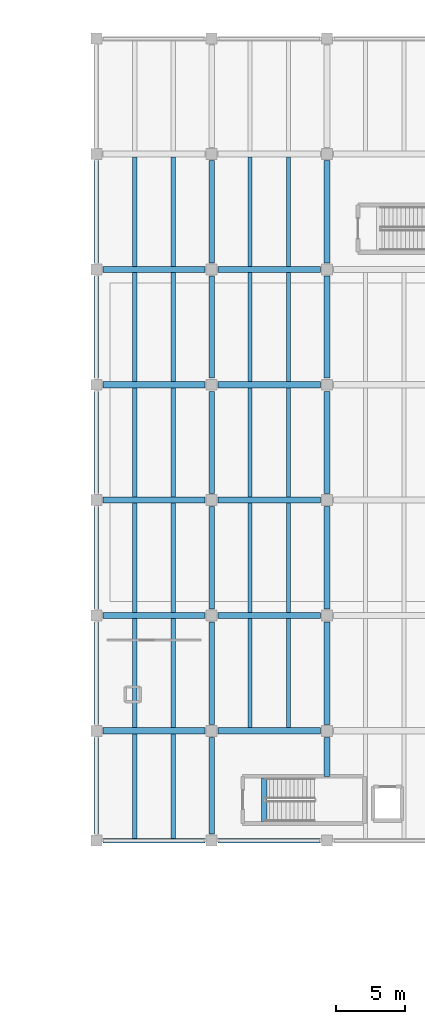
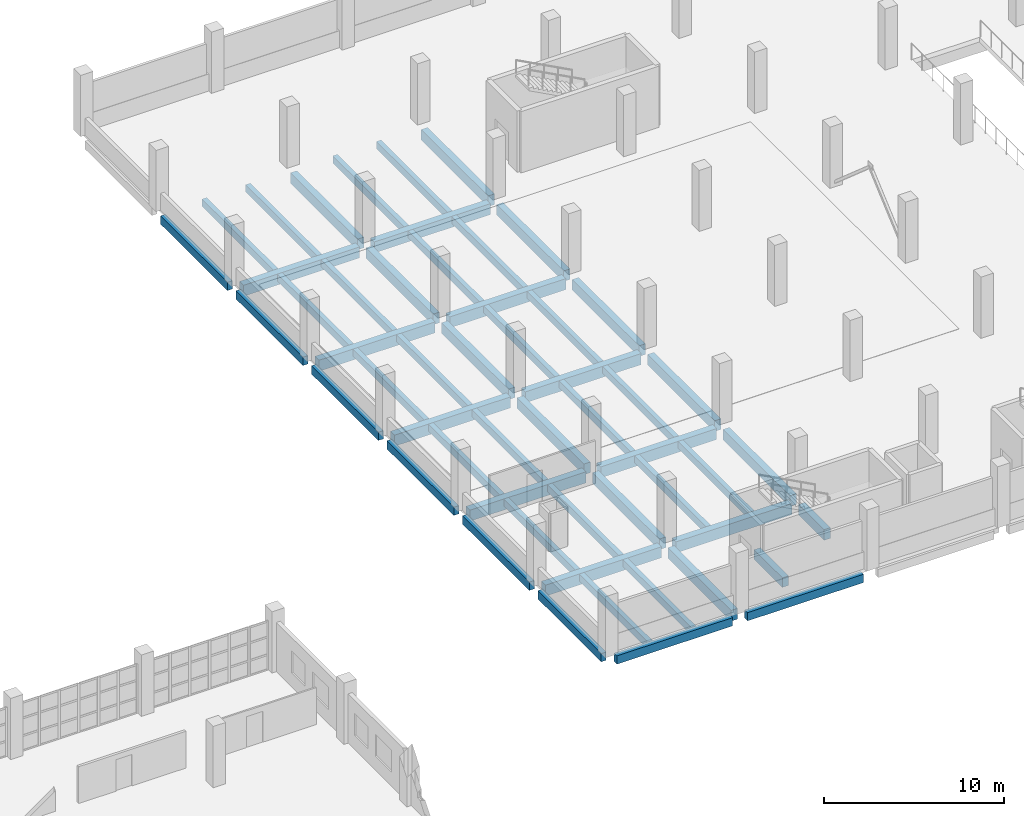
# One storey, part 49 of 177: 53 beams.
"""IFC4 building model written with IfcOpenShell, lengths in metres."""

from ifc_helpers import new_model, si_unit, direction, frame, origin, origin_2d, place, context, subcontext, project, spatial, rectangle, extrude, material, material_profile, profile_set, type_object, element, save


model = new_model("IFC4")

# Units and contexts
model_context = context("Model", 3, precision=1e-05, world=origin(), true_north=direction((0.0, 1.0)))
body_context = subcontext(model_context, "Body", "Model", "MODEL_VIEW")
ifc_project = project(units=[si_unit("LENGTHUNIT", "METRE"), si_unit("AREAUNIT", "SQUARE_METRE"), si_unit("VOLUMEUNIT", "CUBIC_METRE"), si_unit("PLANEANGLEUNIT", "RADIAN"), si_unit("MASSUNIT", "GRAM", prefix="KILO"), si_unit("THERMODYNAMICTEMPERATUREUNIT", "KELVIN"), si_unit("POWERUNIT", "WATT")], contexts=[model_context])

# Site, building, storey
site_placement = place(None, origin())
site = spatial("IfcSite", under=ifc_project, at=site_placement, CompositionType="ELEMENT")
building_placement = place(site_placement, origin())
building = spatial("IfcBuilding", under=site, at=building_placement, Name="Mavoryth Pier Ferry Terminal", CompositionType="ELEMENT")
storey_placement = place(building_placement, frame((0.0, 0.0, 5.43994140625)))
storey = spatial("IfcBuildingStorey", under=building, at=storey_placement, Name="L01", CompositionType="ELEMENT", Elevation=5.43994140625)

# Beams
ifc_material = material(Name="Concrete C35/45", Category="concrete")
ifc_material_profile_1 = material_profile(ifc_material, rectangle(XDim=0.39990234375, YDim=0.64990234375, at=origin_2d()), Name="RC 400x650", Category="concrete")
ifc_profile_set_1 = profile_set([ifc_material_profile_1], Name="Concrete C35/45 - RC 400x650")
beam_type_1 = type_object("IfcBeamType", Name="Girder-RC-400x650", PredefinedType="BEAM", material=ifc_profile_set_1)
beam_1_placement = place(storey_placement, frame((121.419921875, 15.39990234375, -0.324951171875), z_axis=(0.0, 1.0, 0.0), x_axis=(-1.0, 0.0, 0.0)))
element("IfcBeam", 1, at=beam_1_placement, inside=storey, type_object=beam_type_1, Name="Beam B01-BG05-1576", PredefinedType="BEAM", context=body_context, shape_type="SweptSolid", body=[
    extrude(rectangle(XDim=0.39990234375, YDim=0.64990234375, at=origin_2d()), origin(), (0.0, 0.0, 1.0), 3.150146484375),
])
ifc_material_profile_2 = material_profile(ifc_material, rectangle(XDim=0.419921875, YDim=0.719970703125, at=origin_2d()), Name="RC 420x720", Category="concrete")
ifc_profile_set_2 = profile_set([ifc_material_profile_2], Name="Concrete C35/45 - RC 420x720")
beam_type_2 = type_object("IfcBeamType", Name="Girder-RC-420x720", PredefinedType="BEAM", material=ifc_profile_set_2)
beam_2_placement = place(storey_placement, frame((117.60009765625, 14.47509765625, -0.679931640625), z_axis=(0.0, 1.0, 0.0), x_axis=(-1.0, 0.0, 0.0)))
element("IfcBeam", 2, at=beam_2_placement, inside=storey, type_object=beam_type_2, Name="Beam B01-BG03-0377", PredefinedType="BEAM", context=body_context, shape_type="SweptSolid", body=[
    extrude(rectangle(XDim=0.419921875, YDim=0.719970703125, at=origin_2d()), origin(), (0.0, 0.0, 1.0), 7.0498046875),
])
for number, where, z_axis, x_axis, name in (
    (3, (117.60009765625, 22.47509765625, -0.679931640625), (0.0, 1.0, 0.0), (-1.0, 0.0, 0.0), "Beam B01-BG03-0378"),
    (4, (117.60009765625, 30.875, -0.679931640625), (0.0, 1.0, 0.0), (-1.0, 0.0, 0.0), "Beam B01-BG03-0379"),
):
    element("IfcBeam", number, at=place(storey_placement, frame(where, z_axis=z_axis, x_axis=x_axis)), inside=storey, type_object=beam_type_2, Name=name, PredefinedType="BEAM", context=body_context, shape_type="SweptSolid", body=[
        extrude(rectangle(XDim=0.419921875, YDim=0.719970703125, at=origin_2d()), origin(), (0.0, 0.0, 1.0), 7.449951171875),
    ])
beam_3_placement = place(storey_placement, frame((117.60009765625, 39.27490234375, -0.679931640625), z_axis=(0.0, 1.0, 0.0), x_axis=(-1.0, 0.0, 0.0)))
element("IfcBeam", 5, at=beam_3_placement, inside=storey, type_object=beam_type_2, Name="Beam B01-BG03-0380", PredefinedType="BEAM", context=body_context, shape_type="SweptSolid", body=[
    extrude(rectangle(XDim=0.419921875, YDim=0.719970703125, at=origin_2d()), origin(), (0.0, 0.0, 1.0), 7.4501953125),
])
for number, where, z_axis, x_axis, name in (
    (6, (117.60009765625, 47.675048828125, -0.679931640625), (0.0, 1.0, 0.0), (-1.0, 0.0, 0.0), "Beam B01-BG03-0381"),
    (7, (117.60009765625, 56.074951171875, -0.679931640625), (0.0, 1.0, 0.0), (-1.0, 0.0, 0.0), "Beam B01-BG03-0382"),
):
    element("IfcBeam", number, at=place(storey_placement, frame(where, z_axis=z_axis, x_axis=x_axis)), inside=storey, type_object=beam_type_2, Name=name, PredefinedType="BEAM", context=body_context, shape_type="SweptSolid", body=[
        extrude(rectangle(XDim=0.419921875, YDim=0.719970703125, at=origin_2d()), origin(), (0.0, 0.0, 1.0), 7.449951171875),
    ])
beam_4_placement = place(storey_placement, frame((126.0, 18.679931640625, -0.679931640625), z_axis=(0.0, 1.0, 0.0), x_axis=(-1.0, 0.0, 0.0)))
element("IfcBeam", 8, at=beam_4_placement, inside=storey, type_object=beam_type_2, Name="Beam B01-BG03-0384", PredefinedType="BEAM", context=body_context, shape_type="SweptSolid", body=[
    extrude(rectangle(XDim=0.419921875, YDim=0.719970703125, at=origin_2d()), origin(), (0.0, 0.0, 1.0), 2.844970703125),
])
for number, where, z_axis, x_axis, name in (
    (9, (126.0, 22.47509765625, -0.679931640625), (0.0, 1.0, 0.0), (-1.0, 0.0, 0.0), "Beam B01-BG03-0385"),
    (10, (126.0, 30.875, -0.679931640625), (0.0, 1.0, 0.0), (-1.0, 0.0, 0.0), "Beam B01-BG03-0386"),
):
    element("IfcBeam", number, at=place(storey_placement, frame(where, z_axis=z_axis, x_axis=x_axis)), inside=storey, type_object=beam_type_2, Name=name, PredefinedType="BEAM", context=body_context, shape_type="SweptSolid", body=[
        extrude(rectangle(XDim=0.419921875, YDim=0.719970703125, at=origin_2d()), origin(), (0.0, 0.0, 1.0), 7.449951171875),
    ])
beam_5_placement = place(storey_placement, frame((126.0, 39.27490234375, -0.679931640625), z_axis=(0.0, 1.0, 0.0), x_axis=(-1.0, 0.0, 0.0)))
element("IfcBeam", 11, at=beam_5_placement, inside=storey, type_object=beam_type_2, Name="Beam B01-BG03-0387", PredefinedType="BEAM", context=body_context, shape_type="SweptSolid", body=[
    extrude(rectangle(XDim=0.419921875, YDim=0.719970703125, at=origin_2d()), origin(), (0.0, 0.0, 1.0), 7.4501953125),
])
for number, where, z_axis, x_axis, name in (
    (12, (126.0, 47.675048828125, -0.679931640625), (0.0, 1.0, 0.0), (-1.0, 0.0, 0.0), "Beam B01-BG03-0388"),
    (13, (126.0, 56.074951171875, -0.679931640625), (0.0, 1.0, 0.0), (-1.0, 0.0, 0.0), "Beam B01-BG03-0389"),
):
    element("IfcBeam", number, at=place(storey_placement, frame(where, z_axis=z_axis, x_axis=x_axis)), inside=storey, type_object=beam_type_2, Name=name, PredefinedType="BEAM", context=body_context, shape_type="SweptSolid", body=[
        extrude(rectangle(XDim=0.419921875, YDim=0.719970703125, at=origin_2d()), origin(), (0.0, 0.0, 1.0), 7.449951171875),
    ])
ifc_material_profile_3 = material_profile(ifc_material, rectangle(XDim=0.449951171875, YDim=0.75, at=origin_2d()), Name="RC 450x750", Category="concrete")
ifc_profile_set_3 = profile_set([ifc_material_profile_3], Name="Concrete C35/45 - RC 450x750")
beam_type_3 = type_object("IfcBeamType", Name="Girder-RC-450x750", PredefinedType="BEAM", material=ifc_profile_set_3)
for number, where, z_axis, x_axis, name in (
    (14, (109.675048828125, 22.0, -0.69482421875), (1.0, 0.0, 0.0), (0.0, 1.0, 0.0), "Beam B01-BG02-0318"),
    (15, (118.074951171875, 22.0, -0.69482421875), (1.0, 0.0, 0.0), (0.0, 1.0, 0.0), "Beam B01-BG02-0319"),
    (16, (109.675048828125, 30.39990234375, -0.69482421875), (1.0, 0.0, 0.0), (0.0, 1.0, 0.0), "Beam B01-BG02-0325"),
    (17, (118.074951171875, 30.39990234375, -0.69482421875), (1.0, 0.0, 0.0), (0.0, 1.0, 0.0), "Beam B01-BG02-0326"),
    (18, (109.675048828125, 38.800048828125, -0.69482421875), (1.0, 0.0, 0.0), (0.0, 1.0, 0.0), "Beam B01-BG02-0333"),
    (19, (118.074951171875, 38.800048828125, -0.69482421875), (1.0, 0.0, 0.0), (0.0, 1.0, 0.0), "Beam B01-BG02-0334"),
    (20, (109.675048828125, 47.199951171875, -0.69482421875), (1.0, 0.0, 0.0), (0.0, 1.0, 0.0), "Beam B01-BG02-0341"),
    (21, (118.074951171875, 47.199951171875, -0.69482421875), (1.0, 0.0, 0.0), (0.0, 1.0, 0.0), "Beam B01-BG02-0342"),
    (22, (109.675048828125, 55.60009765625, -0.69482421875), (1.0, 0.0, 0.0), (0.0, 1.0, 0.0), "Beam B01-BG02-0349"),
    (23, (118.074951171875, 55.60009765625, -0.69482421875), (1.0, 0.0, 0.0), (0.0, 1.0, 0.0), "Beam B01-BG02-0350"),
):
    element("IfcBeam", number, at=place(storey_placement, frame(where, z_axis=z_axis, x_axis=x_axis)), inside=storey, type_object=beam_type_3, Name=name, PredefinedType="BEAM", context=body_context, shape_type="SweptSolid", body=[
        extrude(rectangle(XDim=0.449951171875, YDim=0.75, at=origin_2d()), origin(), (0.0, 0.0, 1.0), 7.449951171875),
    ])
ifc_material_profile_4 = material_profile(ifc_material, rectangle(XDim=0.300048828125, YDim=0.5, at=origin_2d()), Name="RC 300x500", Category="concrete")
ifc_profile_set_4 = profile_set([ifc_material_profile_4], Name="Concrete C35/45 - RC 300x500")
beam_type_4 = type_object("IfcBeamType", Name="Joist-RC-300x500", PredefinedType="JOIST", material=ifc_profile_set_4)
for number, where, z_axis, x_axis, name in (
    (24, (112.0, 14.159912109375, -0.56982421875), (0.0, 1.0, 0.0), (-1.0, 0.0, 0.0), "Beam B01-BJ01-0426"),
    (25, (114.800048828125, 14.159912109375, -0.56982421875), (0.0, 1.0, 0.0), (-1.0, 0.0, 0.0), "Beam B01-BJ01-0427"),
):
    element("IfcBeam", number, at=place(storey_placement, frame(where, z_axis=z_axis, x_axis=x_axis)), inside=storey, type_object=beam_type_4, Name=name, PredefinedType="JOIST", context=body_context, shape_type="SweptSolid", body=[
        extrude(rectangle(XDim=0.300048828125, YDim=0.5, at=origin_2d()), origin(), (0.0, 0.0, 1.0), 7.614990234375),
    ])
for number, where, z_axis, x_axis, name in (
    (26, (112.0, 22.22509765625, -0.56982421875), (0.0, 1.0, 0.0), (-1.0, 0.0, 0.0), "Beam B01-BJ01-0428"),
    (27, (114.800048828125, 22.22509765625, -0.56982421875), (0.0, 1.0, 0.0), (-1.0, 0.0, 0.0), "Beam B01-BJ01-0429"),
    (28, (112.0, 30.625, -0.56982421875), (0.0, 1.0, 0.0), (-1.0, 0.0, 0.0), "Beam B01-BJ01-0430"),
    (29, (114.800048828125, 30.625, -0.56982421875), (0.0, 1.0, 0.0), (-1.0, 0.0, 0.0), "Beam B01-BJ01-0431"),
):
    element("IfcBeam", number, at=place(storey_placement, frame(where, z_axis=z_axis, x_axis=x_axis)), inside=storey, type_object=beam_type_4, Name=name, PredefinedType="JOIST", context=body_context, shape_type="SweptSolid", body=[
        extrude(rectangle(XDim=0.300048828125, YDim=0.5, at=origin_2d()), origin(), (0.0, 0.0, 1.0), 7.949951171875),
    ])
for number, where, z_axis, x_axis, name in (
    (30, (112.0, 39.02490234375, -0.56982421875), (0.0, 1.0, 0.0), (-1.0, 0.0, 0.0), "Beam B01-BJ01-0432"),
    (31, (114.800048828125, 39.02490234375, -0.56982421875), (0.0, 1.0, 0.0), (-1.0, 0.0, 0.0), "Beam B01-BJ01-0433"),
):
    element("IfcBeam", number, at=place(storey_placement, frame(where, z_axis=z_axis, x_axis=x_axis)), inside=storey, type_object=beam_type_4, Name=name, PredefinedType="JOIST", context=body_context, shape_type="SweptSolid", body=[
        extrude(rectangle(XDim=0.300048828125, YDim=0.5, at=origin_2d()), origin(), (0.0, 0.0, 1.0), 7.9501953125),
    ])
for number, where, z_axis, x_axis, name in (
    (32, (112.0, 47.425048828125, -0.56982421875), (0.0, 1.0, 0.0), (-1.0, 0.0, 0.0), "Beam B01-BJ01-0434"),
    (33, (114.800048828125, 47.425048828125, -0.56982421875), (0.0, 1.0, 0.0), (-1.0, 0.0, 0.0), "Beam B01-BJ01-0435"),
    (34, (112.0, 55.824951171875, -0.56982421875), (0.0, 1.0, 0.0), (-1.0, 0.0, 0.0), "Beam B01-BJ01-0436"),
    (35, (114.800048828125, 55.824951171875, -0.56982421875), (0.0, 1.0, 0.0), (-1.0, 0.0, 0.0), "Beam B01-BJ01-0437"),
    (36, (120.39990234375, 22.22509765625, -0.56982421875), (0.0, 1.0, 0.0), (-1.0, 0.0, 0.0), "Beam B01-BJ01-0440"),
    (37, (123.199951171875, 22.22509765625, -0.56982421875), (0.0, 1.0, 0.0), (-1.0, 0.0, 0.0), "Beam B01-BJ01-0441"),
    (38, (120.39990234375, 30.625, -0.56982421875), (0.0, 1.0, 0.0), (-1.0, 0.0, 0.0), "Beam B01-BJ01-0442"),
    (39, (123.199951171875, 30.625, -0.56982421875), (0.0, 1.0, 0.0), (-1.0, 0.0, 0.0), "Beam B01-BJ01-0443"),
):
    element("IfcBeam", number, at=place(storey_placement, frame(where, z_axis=z_axis, x_axis=x_axis)), inside=storey, type_object=beam_type_4, Name=name, PredefinedType="JOIST", context=body_context, shape_type="SweptSolid", body=[
        extrude(rectangle(XDim=0.300048828125, YDim=0.5, at=origin_2d()), origin(), (0.0, 0.0, 1.0), 7.949951171875),
    ])
for number, where, z_axis, x_axis, name in (
    (40, (120.39990234375, 39.02490234375, -0.56982421875), (0.0, 1.0, 0.0), (-1.0, 0.0, 0.0), "Beam B01-BJ01-0444"),
    (41, (123.199951171875, 39.02490234375, -0.56982421875), (0.0, 1.0, 0.0), (-1.0, 0.0, 0.0), "Beam B01-BJ01-0445"),
):
    element("IfcBeam", number, at=place(storey_placement, frame(where, z_axis=z_axis, x_axis=x_axis)), inside=storey, type_object=beam_type_4, Name=name, PredefinedType="JOIST", context=body_context, shape_type="SweptSolid", body=[
        extrude(rectangle(XDim=0.300048828125, YDim=0.5, at=origin_2d()), origin(), (0.0, 0.0, 1.0), 7.9501953125),
    ])
for number, where, z_axis, x_axis, name in (
    (42, (120.39990234375, 47.425048828125, -0.56982421875), (0.0, 1.0, 0.0), (-1.0, 0.0, 0.0), "Beam B01-BJ01-0446"),
    (43, (123.199951171875, 47.425048828125, -0.56982421875), (0.0, 1.0, 0.0), (-1.0, 0.0, 0.0), "Beam B01-BJ01-0447"),
    (44, (120.39990234375, 55.824951171875, -0.56982421875), (0.0, 1.0, 0.0), (-1.0, 0.0, 0.0), "Beam B01-BJ01-0448"),
    (45, (123.199951171875, 55.824951171875, -0.56982421875), (0.0, 1.0, 0.0), (-1.0, 0.0, 0.0), "Beam B01-BJ01-0449"),
):
    element("IfcBeam", number, at=place(storey_placement, frame(where, z_axis=z_axis, x_axis=x_axis)), inside=storey, type_object=beam_type_4, Name=name, PredefinedType="JOIST", context=body_context, shape_type="SweptSolid", body=[
        extrude(rectangle(XDim=0.300048828125, YDim=0.5, at=origin_2d()), origin(), (0.0, 0.0, 1.0), 7.949951171875),
    ])
ifc_material_profile_5 = material_profile(ifc_material, rectangle(XDim=0.320068359375, YDim=0.56005859375, at=origin_2d()), Name="RC 320x560", Category="concrete")
ifc_profile_set_5 = profile_set([ifc_material_profile_5], Name="Concrete C35/45 - RC 320x560")
beam_type_5 = type_object("IfcBeamType", Name="Spandrel-RC-320x560", PredefinedType="SPANDREL", material=ifc_profile_set_5)
for number, where, z_axis, x_axis, name in (
    (46, (109.675048828125, 14.0, -0.599853515625), (1.0, 0.0, 0.0), (0.0, 1.0, 0.0), "Beam B01-SP01-0311"),
    (47, (118.074951171875, 14.0, -0.599853515625), (1.0, 0.0, 0.0), (0.0, 1.0, 0.0), "Beam B01-SP01-0312"),
):
    element("IfcBeam", number, at=place(storey_placement, frame(where, z_axis=z_axis, x_axis=x_axis)), inside=storey, type_object=beam_type_5, Name=name, PredefinedType="SPANDREL", context=body_context, shape_type="SweptSolid", body=[
        extrude(rectangle(XDim=0.320068359375, YDim=0.56005859375, at=origin_2d()), origin(), (0.0, 0.0, 1.0), 7.449951171875),
    ])
beam_6_placement = place(storey_placement, frame((109.199951171875, 14.47509765625, -0.599853515625), z_axis=(0.0, 1.0, 0.0), x_axis=(-1.0, 0.0, 0.0)))
element("IfcBeam", 48, at=beam_6_placement, inside=storey, type_object=beam_type_5, Name="Beam B01-SP01-0370", PredefinedType="SPANDREL", context=body_context, shape_type="SweptSolid", body=[
    extrude(rectangle(XDim=0.320068359375, YDim=0.56005859375, at=origin_2d()), origin(), (0.0, 0.0, 1.0), 7.0498046875),
])
for number, where, z_axis, x_axis, name in (
    (49, (109.199951171875, 22.47509765625, -0.599853515625), (0.0, 1.0, 0.0), (-1.0, 0.0, 0.0), "Beam B01-SP01-0371"),
    (50, (109.199951171875, 30.875, -0.599853515625), (0.0, 1.0, 0.0), (-1.0, 0.0, 0.0), "Beam B01-SP01-0372"),
):
    element("IfcBeam", number, at=place(storey_placement, frame(where, z_axis=z_axis, x_axis=x_axis)), inside=storey, type_object=beam_type_5, Name=name, PredefinedType="SPANDREL", context=body_context, shape_type="SweptSolid", body=[
        extrude(rectangle(XDim=0.320068359375, YDim=0.56005859375, at=origin_2d()), origin(), (0.0, 0.0, 1.0), 7.449951171875),
    ])
beam_7_placement = place(storey_placement, frame((109.199951171875, 39.27490234375, -0.599853515625), z_axis=(0.0, 1.0, 0.0), x_axis=(-1.0, 0.0, 0.0)))
element("IfcBeam", 51, at=beam_7_placement, inside=storey, type_object=beam_type_5, Name="Beam B01-SP01-0373", PredefinedType="SPANDREL", context=body_context, shape_type="SweptSolid", body=[
    extrude(rectangle(XDim=0.320068359375, YDim=0.56005859375, at=origin_2d()), origin(), (0.0, 0.0, 1.0), 7.4501953125),
])
for number, where, z_axis, x_axis, name in (
    (52, (109.199951171875, 47.675048828125, -0.599853515625), (0.0, 1.0, 0.0), (-1.0, 0.0, 0.0), "Beam B01-SP01-0374"),
    (53, (109.199951171875, 56.074951171875, -0.599853515625), (0.0, 1.0, 0.0), (-1.0, 0.0, 0.0), "Beam B01-SP01-0375"),
):
    element("IfcBeam", number, at=place(storey_placement, frame(where, z_axis=z_axis, x_axis=x_axis)), inside=storey, type_object=beam_type_5, Name=name, PredefinedType="SPANDREL", context=body_context, shape_type="SweptSolid", body=[
        extrude(rectangle(XDim=0.320068359375, YDim=0.56005859375, at=origin_2d()), origin(), (0.0, 0.0, 1.0), 7.449951171875),
    ])

save(model, "model.ifc")
